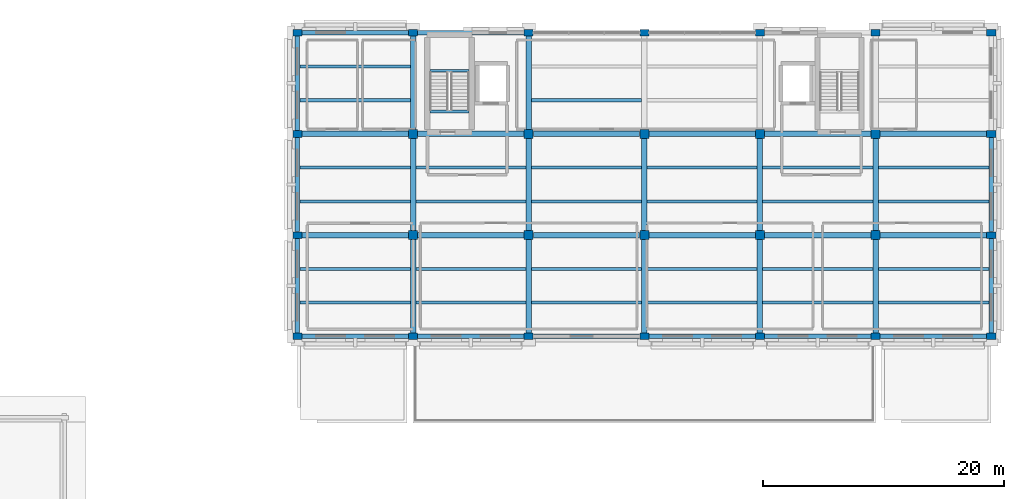
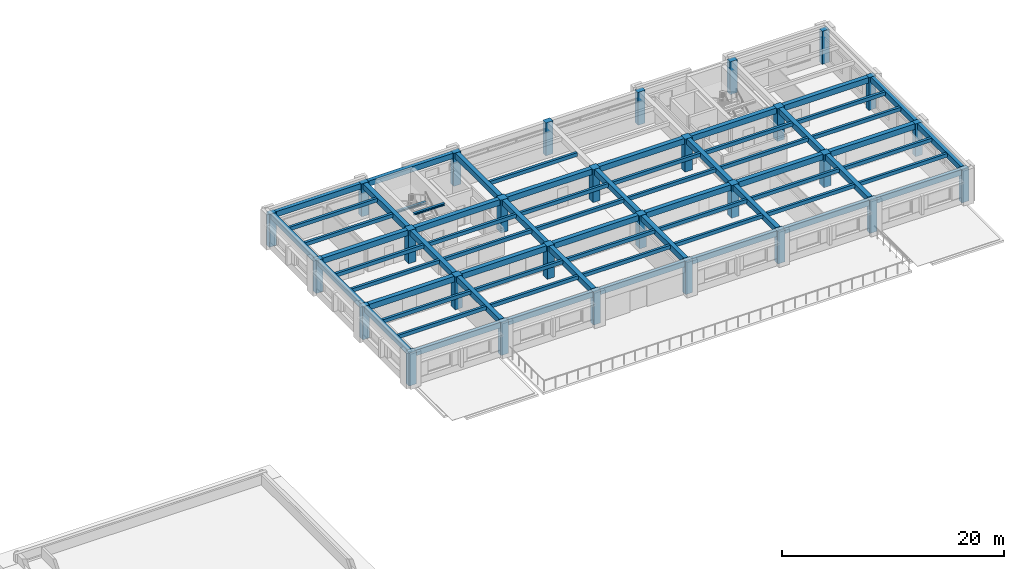
# One storey, part 1 of 10: 66 beams, 28 columns.
"""IFC4 building model written with IfcOpenShell, lengths in metres."""

from ifc_helpers import new_model, si_unit, direction, frame, origin, origin_2d, place, context, subcontext, project, spatial, rectangle, i_section, extrude, material, material_profile, profile_set, type_object, element, save


model = new_model("IFC4")

# Units and contexts
model_context = context("Model", 3, precision=1e-05, world=origin(), true_north=direction((0.0, 1.0)))
body_context = subcontext(model_context, "Body", "Model", "MODEL_VIEW")
ifc_project = project(units=[si_unit("LENGTHUNIT", "METRE"), si_unit("AREAUNIT", "SQUARE_METRE"), si_unit("VOLUMEUNIT", "CUBIC_METRE"), si_unit("PLANEANGLEUNIT", "RADIAN"), si_unit("MASSUNIT", "GRAM", prefix="KILO")], contexts=[model_context])

# Site, building, storey
site_placement = place(None, origin())
site = spatial("IfcSite", under=ifc_project, at=site_placement, CompositionType="ELEMENT")
building_placement = place(site_placement, origin())
building = spatial("IfcBuilding", under=site, at=building_placement, Name="Bempovik Park Faculty of Sciences", CompositionType="ELEMENT")
storey_placement = place(building_placement, frame((0.0, 0.0, 26.699951171875)))
storey = spatial("IfcBuildingStorey", under=building, at=storey_placement, Name="L06", CompositionType="ELEMENT", Elevation=26.699951171875)

# Columns
ifc_material_1 = material(Name="Concrete C40/50", Category="concrete")
ifc_material_profile_1 = material_profile(ifc_material_1, rectangle(XDim=0.75, YDim=0.75, at=origin_2d()), Name="RC 750x750")
ifc_profile_set_1 = profile_set([ifc_material_profile_1], Name="Concrete C40/50")
column_type_1 = type_object("IfcColumnType", Name="C-39 RC 750x750", PredefinedType="COLUMN", material=ifc_profile_set_1)
for number, where, z_axis, x_axis, name in (
    (1, (69.60009765625, 102.60009765625, 0.0), (0.0, 0.0, 1.0), (1.0, 0.0, 0.0), "L06 Structural Column (69.6,102.6)"),
    (2, (69.60009765625, 111.0, 0.0), (0.0, 0.0, 1.0), (1.0, 0.0, 0.0), "L06 Structural Column (69.6,111.0)"),
    (3, (79.199951171875, 102.60009765625, 0.0), (0.0, 0.0, 1.0), (1.0, 0.0, 0.0), "L06 Structural Column (79.2,102.6)"),
    (4, (79.199951171875, 111.0, 0.0), (0.0, 0.0, 1.0), (1.0, 0.0, 0.0), "L06 Structural Column (79.2,111.0)"),
    (5, (88.800048828125, 102.60009765625, 0.0), (0.0, 0.0, 1.0), (1.0, 0.0, 0.0), "L06 Structural Column (88.8,102.6)"),
    (6, (88.800048828125, 111.0, 0.0), (0.0, 0.0, 1.0), (1.0, 0.0, 0.0), "L06 Structural Column (88.8,111.0)"),
    (7, (98.39990234375, 102.60009765625, 0.0), (0.0, 0.0, 1.0), (1.0, 0.0, 0.0), "L06 Structural Column (98.4,102.6)"),
    (8, (98.39990234375, 111.0, 0.0), (0.0, 0.0, 1.0), (1.0, 0.0, 0.0), "L06 Structural Column (98.4,111.0)"),
    (9, (108.0, 102.60009765625, 0.0), (0.0, 0.0, 1.0), (1.0, 0.0, 0.0), "L06 Structural Column (108.0,102.6)"),
    (10, (108.0, 111.0, 0.0), (0.0, 0.0, 1.0), (1.0, 0.0, 0.0), "L06 Structural Column (108.0,111.0)"),
):
    element("IfcColumn", number, at=place(storey_placement, frame(where, z_axis=z_axis, x_axis=x_axis)), inside=storey, type_object=column_type_1, Name=name, PredefinedType="COLUMN", context=body_context, shape_type="SweptSolid", body=[
        extrude(rectangle(XDim=0.75, YDim=0.75, at=origin_2d()), origin(), (0.0, 0.0, 1.0), 3.6201171875),
    ])
ifc_material_profile_2 = material_profile(ifc_material_1, rectangle(XDim=0.75, YDim=0.550048828125, at=origin_2d()), Name="RC 750x550")
ifc_profile_set_2 = profile_set([ifc_material_profile_2], Name="Concrete C40/50")
column_type_2 = type_object("IfcColumnType", Name="C-43 RC 750x550", PredefinedType="COLUMN", material=ifc_profile_set_2)
for number, where, z_axis, x_axis, name in (
    (11, (60.0, 94.199951171875, 0.0), (0.0, 0.0, 1.0), (1.0, 0.0, 0.0), "L06 Structural Column (60.0,94.2)"),
    (12, (60.0, 102.60009765625, 0.0), (0.0, 0.0, 1.0), (1.0, 0.0, 0.0), "L06 Structural Column (60.0,102.6)"),
    (13, (60.0, 111.0, 0.0), (0.0, 0.0, 1.0), (1.0, 0.0, 0.0), "L06 Structural Column (60.0,111.0)"),
    (14, (60.0, 119.39990234375, 0.0), (0.0, 0.0, 1.0), (1.0, 0.0, 0.0), "L06 Structural Column (60.0,119.4)"),
    (15, (69.60009765625, 94.199951171875, 0.0), (0.0, 0.0, 1.0), (1.0, 0.0, 0.0), "L06 Structural Column (69.6,94.2)"),
    (16, (69.60009765625, 119.39990234375, 0.0), (0.0, 0.0, 1.0), (1.0, 0.0, 0.0), "L06 Structural Column (69.6,119.4)"),
    (17, (79.199951171875, 94.199951171875, 0.0), (0.0, 0.0, 1.0), (1.0, 0.0, 0.0), "L06 Structural Column (79.2,94.2)"),
    (18, (79.199951171875, 119.39990234375, 0.0), (0.0, 0.0, 1.0), (1.0, 0.0, 0.0), "L06 Structural Column (79.2,119.4)"),
    (19, (88.800048828125, 94.199951171875, 0.0), (0.0, 0.0, 1.0), (1.0, 0.0, 0.0), "L06 Structural Column (88.8,94.2)"),
    (20, (88.800048828125, 119.39990234375, 0.0), (0.0, 0.0, 1.0), (1.0, 0.0, 0.0), "L06 Structural Column (88.8,119.4)"),
    (21, (98.39990234375, 94.199951171875, 0.0), (0.0, 0.0, 1.0), (1.0, 0.0, 0.0), "L06 Structural Column (98.4,94.2)"),
    (22, (98.39990234375, 119.39990234375, 0.0), (0.0, 0.0, 1.0), (1.0, 0.0, 0.0), "L06 Structural Column (98.4,119.4)"),
    (23, (108.0, 94.199951171875, 0.0), (0.0, 0.0, 1.0), (1.0, 0.0, 0.0), "L06 Structural Column (108.0,94.2)"),
    (24, (108.0, 119.39990234375, 0.0), (0.0, 0.0, 1.0), (1.0, 0.0, 0.0), "L06 Structural Column (108.0,119.4)"),
    (25, (117.60009765625, 94.199951171875, 0.0), (0.0, 0.0, 1.0), (1.0, 0.0, 0.0), "L06 Structural Column (117.6,94.2)"),
    (26, (117.60009765625, 102.60009765625, 0.0), (0.0, 0.0, 1.0), (1.0, 0.0, 0.0), "L06 Structural Column (117.6,102.6)"),
    (27, (117.60009765625, 111.0, 0.0), (0.0, 0.0, 1.0), (1.0, 0.0, 0.0), "L06 Structural Column (117.6,111.0)"),
    (28, (117.60009765625, 119.39990234375, 0.0), (0.0, 0.0, 1.0), (1.0, 0.0, 0.0), "L06 Structural Column (117.6,119.4)"),
):
    element("IfcColumn", number, at=place(storey_placement, frame(where, z_axis=z_axis, x_axis=x_axis)), inside=storey, type_object=column_type_2, Name=name, PredefinedType="COLUMN", context=body_context, shape_type="SweptSolid", body=[
        extrude(rectangle(XDim=0.75, YDim=0.550048828125, at=origin_2d()), origin(), (0.0, 0.0, 1.0), 3.6201171875),
    ])

# Beams
ifc_material_2 = material(Name="Concrete C35/45", Category="concrete")
ifc_material_profile_3 = material_profile(ifc_material_2, rectangle(XDim=0.3798828125, YDim=0.60009765625, at=origin_2d()), Name="RC 380x600")
ifc_profile_set_3 = profile_set([ifc_material_profile_3], Name="Concrete C35/45")
beam_type_1 = type_object("IfcBeamType", Name="B-032 RC 380x600", PredefinedType="SPANDREL", material=ifc_profile_set_3)
beam_1_placement = place(storey_placement, frame((60.381103515625, 94.199951171875, 3.320068359375), z_axis=(1.0, 0.0, 0.0), x_axis=(0.0, 1.0, 0.0)))
element("IfcBeam", 29, at=beam_1_placement, inside=storey, type_object=beam_type_1, Name="L06 Beam X (60.0-69.6, y=94.2)", PredefinedType="SPANDREL", context=body_context, shape_type="SweptSolid", body=[
    extrude(rectangle(XDim=0.3798828125, YDim=0.60009765625, at=origin_2d()), origin(), (0.0, 0.0, 1.0), 8.837890625),
])
beam_2_placement = place(storey_placement, frame((69.98095703125, 94.199951171875, 3.320068359375), z_axis=(1.0, 0.0, 0.0), x_axis=(0.0, 1.0, 0.0)))
element("IfcBeam", 30, at=beam_2_placement, inside=storey, type_object=beam_type_1, Name="L06 Beam X (69.6-79.2, y=94.2)", PredefinedType="SPANDREL", context=body_context, shape_type="SweptSolid", body=[
    extrude(rectangle(XDim=0.3798828125, YDim=0.60009765625, at=origin_2d()), origin(), (0.0, 0.0, 1.0), 8.838134765625),
])
beam_3_placement = place(storey_placement, frame((79.5810546875, 94.199951171875, 3.320068359375), z_axis=(1.0, 0.0, 0.0), x_axis=(0.0, 1.0, 0.0)))
element("IfcBeam", 31, at=beam_3_placement, inside=storey, type_object=beam_type_1, Name="L06 Beam X (79.2-88.8, y=94.2)", PredefinedType="SPANDREL", context=body_context, shape_type="SweptSolid", body=[
    extrude(rectangle(XDim=0.3798828125, YDim=0.60009765625, at=origin_2d()), origin(), (0.0, 0.0, 1.0), 8.837890625),
])
beam_4_placement = place(storey_placement, frame((89.180908203125, 94.199951171875, 3.320068359375), z_axis=(1.0, 0.0, 0.0), x_axis=(0.0, 1.0, 0.0)))
element("IfcBeam", 32, at=beam_4_placement, inside=storey, type_object=beam_type_1, Name="L06 Beam X (88.8-98.4, y=94.2)", PredefinedType="SPANDREL", context=body_context, shape_type="SweptSolid", body=[
    extrude(rectangle(XDim=0.3798828125, YDim=0.60009765625, at=origin_2d()), origin(), (0.0, 0.0, 1.0), 8.838134765625),
])
for number, where, z_axis, x_axis, name in (
    (33, (98.781005859375, 94.199951171875, 3.320068359375), (1.0, 0.0, 0.0), (0.0, 1.0, 0.0), "L06 Beam X (98.4-108.0, y=94.2)"),
    (34, (108.381103515625, 94.199951171875, 3.320068359375), (1.0, 0.0, 0.0), (0.0, 1.0, 0.0), "L06 Beam X (108.0-117.6, y=94.2)"),
    (35, (60.381103515625, 119.39990234375, 3.320068359375), (1.0, 0.0, 0.0), (0.0, 1.0, 0.0), "L06 Beam X (60.0-69.6, y=119.4)"),
):
    element("IfcBeam", number, at=place(storey_placement, frame(where, z_axis=z_axis, x_axis=x_axis)), inside=storey, type_object=beam_type_1, Name=name, PredefinedType="SPANDREL", context=body_context, shape_type="SweptSolid", body=[
        extrude(rectangle(XDim=0.3798828125, YDim=0.60009765625, at=origin_2d()), origin(), (0.0, 0.0, 1.0), 8.837890625),
    ])
beam_5_placement = place(storey_placement, frame((69.98095703125, 119.39990234375, 3.320068359375), z_axis=(1.0, 0.0, 0.0), x_axis=(0.0, 1.0, 0.0)))
element("IfcBeam", 36, at=beam_5_placement, inside=storey, type_object=beam_type_1, Name="L06 Beam X (69.6-79.2, y=119.4)", PredefinedType="SPANDREL", context=body_context, shape_type="SweptSolid", body=[
    extrude(rectangle(XDim=0.3798828125, YDim=0.60009765625, at=origin_2d()), origin(), (0.0, 0.0, 1.0), 8.838134765625),
])
beam_6_placement = place(storey_placement, frame((60.0, 94.48095703125, 3.320068359375), z_axis=(0.0, 1.0, 0.0), x_axis=(-1.0, 0.0, 0.0)))
element("IfcBeam", 37, at=beam_6_placement, inside=storey, type_object=beam_type_1, Name="L06 Beam Y (x=60.0, 94.2-102.6)", PredefinedType="SPANDREL", context=body_context, shape_type="SweptSolid", body=[
    extrude(rectangle(XDim=0.3798828125, YDim=0.60009765625, at=origin_2d()), origin(), (0.0, 0.0, 1.0), 7.838134765625),
])
for number, where, z_axis, x_axis, name in (
    (38, (60.0, 102.881103515625, 3.320068359375), (0.0, 1.0, 0.0), (-1.0, 0.0, 0.0), "L06 Beam Y (x=60.0, 102.6-111.0)"),
    (39, (60.0, 111.281005859375, 3.320068359375), (0.0, 1.0, 0.0), (-1.0, 0.0, 0.0), "L06 Beam Y (x=60.0, 111.0-119.4)"),
):
    element("IfcBeam", number, at=place(storey_placement, frame(where, z_axis=z_axis, x_axis=x_axis)), inside=storey, type_object=beam_type_1, Name=name, PredefinedType="SPANDREL", context=body_context, shape_type="SweptSolid", body=[
        extrude(rectangle(XDim=0.3798828125, YDim=0.60009765625, at=origin_2d()), origin(), (0.0, 0.0, 1.0), 7.837890625),
    ])
beam_7_placement = place(storey_placement, frame((117.60009765625, 94.48095703125, 3.320068359375), z_axis=(0.0, 1.0, 0.0), x_axis=(-1.0, 0.0, 0.0)))
element("IfcBeam", 40, at=beam_7_placement, inside=storey, type_object=beam_type_1, Name="L06 Beam Y (x=117.6, 94.2-102.6)", PredefinedType="SPANDREL", context=body_context, shape_type="SweptSolid", body=[
    extrude(rectangle(XDim=0.3798828125, YDim=0.60009765625, at=origin_2d()), origin(), (0.0, 0.0, 1.0), 7.838134765625),
])
beam_8_placement = place(storey_placement, frame((117.60009765625, 102.881103515625, 3.320068359375), z_axis=(0.0, 1.0, 0.0), x_axis=(-1.0, 0.0, 0.0)))
element("IfcBeam", 41, at=beam_8_placement, inside=storey, type_object=beam_type_1, Name="L06 Beam Y (x=117.6, 102.6-111.0)", PredefinedType="SPANDREL", context=body_context, shape_type="SweptSolid", body=[
    extrude(rectangle(XDim=0.3798828125, YDim=0.60009765625, at=origin_2d()), origin(), (0.0, 0.0, 1.0), 7.837890625),
])
ifc_material_profile_4 = material_profile(ifc_material_2, rectangle(XDim=0.260009765625, YDim=0.39990234375, at=origin_2d()), Name="RC 260x400")
ifc_profile_set_4 = profile_set([ifc_material_profile_4], Name="Concrete C35/45")
beam_type_2 = type_object("IfcBeamType", Name="B-063 RC 260x400", PredefinedType="JOIST", material=ifc_profile_set_4)
for number, where, z_axis, x_axis, name in (
    (42, (60.196044921875, 97.0, 3.420166015625), (1.0, 0.0, 0.0), (0.0, 1.0, 0.0), "L06 Secondary Joist (60.0-69.6, y=97.00)"),
    (43, (60.196044921875, 99.800048828125, 3.420166015625), (1.0, 0.0, 0.0), (0.0, 1.0, 0.0), "L06 Secondary Joist (60.0-69.6, y=99.80)"),
    (44, (60.196044921875, 105.39990234375, 3.420166015625), (1.0, 0.0, 0.0), (0.0, 1.0, 0.0), "L06 Secondary Joist (60.0-69.6, y=105.40)"),
    (45, (60.196044921875, 108.199951171875, 3.420166015625), (1.0, 0.0, 0.0), (0.0, 1.0, 0.0), "L06 Secondary Joist (60.0-69.6, y=108.20)"),
    (46, (60.196044921875, 113.800048828125, 3.420166015625), (1.0, 0.0, 0.0), (0.0, 1.0, 0.0), "L06 Secondary Joist (60.0-69.6, y=113.80)"),
    (47, (60.196044921875, 116.60009765625, 3.420166015625), (1.0, 0.0, 0.0), (0.0, 1.0, 0.0), "L06 Secondary Joist (60.0-69.6, y=116.60)"),
):
    element("IfcBeam", number, at=place(storey_placement, frame(where, z_axis=z_axis, x_axis=x_axis)), inside=storey, type_object=beam_type_2, Name=name, PredefinedType="JOIST", context=body_context, shape_type="SweptSolid", body=[
        extrude(rectangle(XDim=0.260009765625, YDim=0.39990234375, at=origin_2d()), origin(), (0.0, 0.0, 1.0), 9.1728515625),
    ])
for number, where, z_axis, x_axis, name in (
    (48, (69.8310546875, 97.0, 3.420166015625), (1.0, 0.0, 0.0), (0.0, 1.0, 0.0), "L06 Secondary Joist (69.6-79.2, y=97.00)"),
    (49, (69.8310546875, 99.800048828125, 3.420166015625), (1.0, 0.0, 0.0), (0.0, 1.0, 0.0), "L06 Secondary Joist (69.6-79.2, y=99.80)"),
    (50, (69.8310546875, 105.39990234375, 3.420166015625), (1.0, 0.0, 0.0), (0.0, 1.0, 0.0), "L06 Secondary Joist (69.6-79.2, y=105.40)"),
    (51, (69.8310546875, 108.199951171875, 3.420166015625), (1.0, 0.0, 0.0), (0.0, 1.0, 0.0), "L06 Secondary Joist (69.6-79.2, y=108.20)"),
):
    element("IfcBeam", number, at=place(storey_placement, frame(where, z_axis=z_axis, x_axis=x_axis)), inside=storey, type_object=beam_type_2, Name=name, PredefinedType="JOIST", context=body_context, shape_type="SweptSolid", body=[
        extrude(rectangle(XDim=0.260009765625, YDim=0.39990234375, at=origin_2d()), origin(), (0.0, 0.0, 1.0), 9.137939453125),
    ])
for number, where, z_axis, x_axis, name in (
    (52, (79.430908203125, 97.0, 3.420166015625), (1.0, 0.0, 0.0), (0.0, 1.0, 0.0), "L06 Secondary Joist (79.2-88.8, y=97.00)"),
    (53, (79.430908203125, 99.800048828125, 3.420166015625), (1.0, 0.0, 0.0), (0.0, 1.0, 0.0), "L06 Secondary Joist (79.2-88.8, y=99.80)"),
    (54, (79.430908203125, 105.39990234375, 3.420166015625), (1.0, 0.0, 0.0), (0.0, 1.0, 0.0), "L06 Secondary Joist (79.2-88.8, y=105.40)"),
    (55, (79.430908203125, 108.199951171875, 3.420166015625), (1.0, 0.0, 0.0), (0.0, 1.0, 0.0), "L06 Secondary Joist (79.2-88.8, y=108.20)"),
    (56, (79.430908203125, 113.800048828125, 3.420166015625), (1.0, 0.0, 0.0), (0.0, 1.0, 0.0), "L06 Secondary Joist (79.2-88.8, y=113.80)"),
):
    element("IfcBeam", number, at=place(storey_placement, frame(where, z_axis=z_axis, x_axis=x_axis)), inside=storey, type_object=beam_type_2, Name=name, PredefinedType="JOIST", context=body_context, shape_type="SweptSolid", body=[
        extrude(rectangle(XDim=0.260009765625, YDim=0.39990234375, at=origin_2d()), origin(), (0.0, 0.0, 1.0), 9.13818359375),
    ])
for number, where, z_axis, x_axis, name in (
    (57, (89.031005859375, 97.0, 3.420166015625), (1.0, 0.0, 0.0), (0.0, 1.0, 0.0), "L06 Secondary Joist (88.8-98.4, y=97.00)"),
    (58, (89.031005859375, 99.800048828125, 3.420166015625), (1.0, 0.0, 0.0), (0.0, 1.0, 0.0), "L06 Secondary Joist (88.8-98.4, y=99.80)"),
    (59, (89.031005859375, 105.39990234375, 3.420166015625), (1.0, 0.0, 0.0), (0.0, 1.0, 0.0), "L06 Secondary Joist (88.8-98.4, y=105.40)"),
    (60, (89.031005859375, 108.199951171875, 3.420166015625), (1.0, 0.0, 0.0), (0.0, 1.0, 0.0), "L06 Secondary Joist (88.8-98.4, y=108.20)"),
    (61, (98.631103515625, 97.0, 3.420166015625), (1.0, 0.0, 0.0), (0.0, 1.0, 0.0), "L06 Secondary Joist (98.4-108.0, y=97.00)"),
    (62, (98.631103515625, 99.800048828125, 3.420166015625), (1.0, 0.0, 0.0), (0.0, 1.0, 0.0), "L06 Secondary Joist (98.4-108.0, y=99.80)"),
    (63, (98.631103515625, 105.39990234375, 3.420166015625), (1.0, 0.0, 0.0), (0.0, 1.0, 0.0), "L06 Secondary Joist (98.4-108.0, y=105.40)"),
    (64, (98.631103515625, 108.199951171875, 3.420166015625), (1.0, 0.0, 0.0), (0.0, 1.0, 0.0), "L06 Secondary Joist (98.4-108.0, y=108.20)"),
):
    element("IfcBeam", number, at=place(storey_placement, frame(where, z_axis=z_axis, x_axis=x_axis)), inside=storey, type_object=beam_type_2, Name=name, PredefinedType="JOIST", context=body_context, shape_type="SweptSolid", body=[
        extrude(rectangle(XDim=0.260009765625, YDim=0.39990234375, at=origin_2d()), origin(), (0.0, 0.0, 1.0), 9.137939453125),
    ])
for number, where, z_axis, x_axis, name in (
    (65, (108.23095703125, 97.0, 3.420166015625), (1.0, 0.0, 0.0), (0.0, 1.0, 0.0), "L06 Secondary Joist (108.0-117.6, y=97.00)"),
    (66, (108.23095703125, 99.800048828125, 3.420166015625), (1.0, 0.0, 0.0), (0.0, 1.0, 0.0), "L06 Secondary Joist (108.0-117.6, y=99.80)"),
    (67, (108.23095703125, 105.39990234375, 3.420166015625), (1.0, 0.0, 0.0), (0.0, 1.0, 0.0), "L06 Secondary Joist (108.0-117.6, y=105.40)"),
    (68, (108.23095703125, 108.199951171875, 3.420166015625), (1.0, 0.0, 0.0), (0.0, 1.0, 0.0), "L06 Secondary Joist (108.0-117.6, y=108.20)"),
):
    element("IfcBeam", number, at=place(storey_placement, frame(where, z_axis=z_axis, x_axis=x_axis)), inside=storey, type_object=beam_type_2, Name=name, PredefinedType="JOIST", context=body_context, shape_type="SweptSolid", body=[
        extrude(rectangle(XDim=0.260009765625, YDim=0.39990234375, at=origin_2d()), origin(), (0.0, 0.0, 1.0), 9.173095703125),
    ])
ifc_material_3 = material(Name="Steel S355", Category="steel")
ifc_material_profile_5 = material_profile(ifc_material_3, i_section(OverallWidth=0.239990234375, OverallDepth=0.22998046875, WebThickness=0.007568359375, FlangeThickness=0.011962890625, at=origin_2d()), Name="HEA 240")
ifc_profile_set_5 = profile_set([ifc_material_profile_5], Name="Steel S355")
beam_type_3 = type_object("IfcBeamType", Name="B-070 HEA 240", PredefinedType="BEAM", material=ifc_profile_set_5)
for number, where, z_axis, x_axis, name in (
    (69, (71.006103515625, 116.24365234375, 1.635009765625), (1.0, 0.0, 0.0), (0.0, 1.0, 0.0), "L06 ST-1 Half-Landing Trimmer Beam"),
    (70, (71.006103515625, 112.85009765625, 3.505126953125), (1.0, 0.0, 0.0), (0.0, 1.0, 0.0), "L07 ST-1 Floor Landing Trimmer Beam"),
):
    element("IfcBeam", number, at=place(storey_placement, frame(where, z_axis=z_axis, x_axis=x_axis)), inside=storey, type_object=beam_type_3, Name=name, PredefinedType="BEAM", context=body_context, shape_type="SweptSolid", body=[
        extrude(i_section(OverallWidth=0.239990234375, OverallDepth=0.22998046875, WebThickness=0.007568359375, FlangeThickness=0.011962890625, at=origin_2d()), origin(), (0.0, 0.0, 1.0), 3.23779296875),
    ])
ifc_material_profile_6 = material_profile(ifc_material_2, rectangle(XDim=0.449951171875, YDim=0.6201171875, at=origin_2d()), Name="RC 450x620")
ifc_profile_set_6 = profile_set([ifc_material_profile_6], Name="Concrete C35/45")
beam_type_4 = type_object("IfcBeamType", Name="B-114 RC 450x620", PredefinedType="BEAM", material=ifc_profile_set_6)
beam_9_placement = place(storey_placement, frame((60.381103515625, 102.60009765625, 3.31005859375), z_axis=(1.0, 0.0, 0.0), x_axis=(0.0, 1.0, 0.0)))
element("IfcBeam", 71, at=beam_9_placement, inside=storey, type_object=beam_type_4, Name="L06 Beam X (60.0-69.6, y=102.6)", PredefinedType="BEAM", context=body_context, shape_type="SweptSolid", body=[
    extrude(rectangle(XDim=0.449951171875, YDim=0.6201171875, at=origin_2d()), origin(), (0.0, 0.0, 1.0), 8.837890625),
])
beam_10_placement = place(storey_placement, frame((69.98095703125, 102.60009765625, 3.31005859375), z_axis=(1.0, 0.0, 0.0), x_axis=(0.0, 1.0, 0.0)))
element("IfcBeam", 72, at=beam_10_placement, inside=storey, type_object=beam_type_4, Name="L06 Beam X (69.6-79.2, y=102.6)", PredefinedType="BEAM", context=body_context, shape_type="SweptSolid", body=[
    extrude(rectangle(XDim=0.449951171875, YDim=0.6201171875, at=origin_2d()), origin(), (0.0, 0.0, 1.0), 8.838134765625),
])
beam_11_placement = place(storey_placement, frame((79.5810546875, 102.60009765625, 3.31005859375), z_axis=(1.0, 0.0, 0.0), x_axis=(0.0, 1.0, 0.0)))
element("IfcBeam", 73, at=beam_11_placement, inside=storey, type_object=beam_type_4, Name="L06 Beam X (79.2-88.8, y=102.6)", PredefinedType="BEAM", context=body_context, shape_type="SweptSolid", body=[
    extrude(rectangle(XDim=0.449951171875, YDim=0.6201171875, at=origin_2d()), origin(), (0.0, 0.0, 1.0), 8.837890625),
])
beam_12_placement = place(storey_placement, frame((89.180908203125, 102.60009765625, 3.31005859375), z_axis=(1.0, 0.0, 0.0), x_axis=(0.0, 1.0, 0.0)))
element("IfcBeam", 74, at=beam_12_placement, inside=storey, type_object=beam_type_4, Name="L06 Beam X (88.8-98.4, y=102.6)", PredefinedType="BEAM", context=body_context, shape_type="SweptSolid", body=[
    extrude(rectangle(XDim=0.449951171875, YDim=0.6201171875, at=origin_2d()), origin(), (0.0, 0.0, 1.0), 8.838134765625),
])
for number, where, z_axis, x_axis, name in (
    (75, (98.781005859375, 102.60009765625, 3.31005859375), (1.0, 0.0, 0.0), (0.0, 1.0, 0.0), "L06 Beam X (98.4-108.0, y=102.6)"),
    (76, (108.381103515625, 102.60009765625, 3.31005859375), (1.0, 0.0, 0.0), (0.0, 1.0, 0.0), "L06 Beam X (108.0-117.6, y=102.6)"),
    (77, (60.381103515625, 111.0, 3.31005859375), (1.0, 0.0, 0.0), (0.0, 1.0, 0.0), "L06 Beam X (60.0-69.6, y=111.0)"),
):
    element("IfcBeam", number, at=place(storey_placement, frame(where, z_axis=z_axis, x_axis=x_axis)), inside=storey, type_object=beam_type_4, Name=name, PredefinedType="BEAM", context=body_context, shape_type="SweptSolid", body=[
        extrude(rectangle(XDim=0.449951171875, YDim=0.6201171875, at=origin_2d()), origin(), (0.0, 0.0, 1.0), 8.837890625),
    ])
beam_13_placement = place(storey_placement, frame((69.98095703125, 111.0, 3.31005859375), z_axis=(1.0, 0.0, 0.0), x_axis=(0.0, 1.0, 0.0)))
element("IfcBeam", 78, at=beam_13_placement, inside=storey, type_object=beam_type_4, Name="L06 Beam X (69.6-79.2, y=111.0)", PredefinedType="BEAM", context=body_context, shape_type="SweptSolid", body=[
    extrude(rectangle(XDim=0.449951171875, YDim=0.6201171875, at=origin_2d()), origin(), (0.0, 0.0, 1.0), 8.838134765625),
])
beam_14_placement = place(storey_placement, frame((79.5810546875, 111.0, 3.31005859375), z_axis=(1.0, 0.0, 0.0), x_axis=(0.0, 1.0, 0.0)))
element("IfcBeam", 79, at=beam_14_placement, inside=storey, type_object=beam_type_4, Name="L06 Beam X (79.2-88.8, y=111.0)", PredefinedType="BEAM", context=body_context, shape_type="SweptSolid", body=[
    extrude(rectangle(XDim=0.449951171875, YDim=0.6201171875, at=origin_2d()), origin(), (0.0, 0.0, 1.0), 8.837890625),
])
beam_15_placement = place(storey_placement, frame((89.180908203125, 111.0, 3.31005859375), z_axis=(1.0, 0.0, 0.0), x_axis=(0.0, 1.0, 0.0)))
element("IfcBeam", 80, at=beam_15_placement, inside=storey, type_object=beam_type_4, Name="L06 Beam X (88.8-98.4, y=111.0)", PredefinedType="BEAM", context=body_context, shape_type="SweptSolid", body=[
    extrude(rectangle(XDim=0.449951171875, YDim=0.6201171875, at=origin_2d()), origin(), (0.0, 0.0, 1.0), 8.838134765625),
])
for number, where, z_axis, x_axis, name in (
    (81, (98.781005859375, 111.0, 3.31005859375), (1.0, 0.0, 0.0), (0.0, 1.0, 0.0), "L06 Beam X (98.4-108.0, y=111.0)"),
    (82, (108.381103515625, 111.0, 3.31005859375), (1.0, 0.0, 0.0), (0.0, 1.0, 0.0), "L06 Beam X (108.0-117.6, y=111.0)"),
):
    element("IfcBeam", number, at=place(storey_placement, frame(where, z_axis=z_axis, x_axis=x_axis)), inside=storey, type_object=beam_type_4, Name=name, PredefinedType="BEAM", context=body_context, shape_type="SweptSolid", body=[
        extrude(rectangle(XDim=0.449951171875, YDim=0.6201171875, at=origin_2d()), origin(), (0.0, 0.0, 1.0), 8.837890625),
    ])
beam_16_placement = place(storey_placement, frame((69.60009765625, 94.48095703125, 3.31005859375), z_axis=(0.0, 1.0, 0.0), x_axis=(-1.0, 0.0, 0.0)))
element("IfcBeam", 83, at=beam_16_placement, inside=storey, type_object=beam_type_4, Name="L06 Beam Y (x=69.6, 94.2-102.6)", PredefinedType="BEAM", context=body_context, shape_type="SweptSolid", body=[
    extrude(rectangle(XDim=0.449951171875, YDim=0.6201171875, at=origin_2d()), origin(), (0.0, 0.0, 1.0), 7.738037109375),
])
beam_17_placement = place(storey_placement, frame((69.60009765625, 102.98095703125, 3.31005859375), z_axis=(0.0, 1.0, 0.0), x_axis=(-1.0, 0.0, 0.0)))
element("IfcBeam", 84, at=beam_17_placement, inside=storey, type_object=beam_type_4, Name="L06 Beam Y (x=69.6, 102.6-111.0)", PredefinedType="BEAM", context=body_context, shape_type="SweptSolid", body=[
    extrude(rectangle(XDim=0.449951171875, YDim=0.6201171875, at=origin_2d()), origin(), (0.0, 0.0, 1.0), 7.637939453125),
])
beam_18_placement = place(storey_placement, frame((69.60009765625, 111.381103515625, 3.31005859375), z_axis=(0.0, 1.0, 0.0), x_axis=(-1.0, 0.0, 0.0)))
element("IfcBeam", 85, at=beam_18_placement, inside=storey, type_object=beam_type_4, Name="L06 Beam Y (x=69.6, 111.0-119.4)", PredefinedType="BEAM", context=body_context, shape_type="SweptSolid", body=[
    extrude(rectangle(XDim=0.449951171875, YDim=0.6201171875, at=origin_2d()), origin(), (0.0, 0.0, 1.0), 7.73779296875),
])
beam_19_placement = place(storey_placement, frame((79.199951171875, 94.48095703125, 3.31005859375), z_axis=(0.0, 1.0, 0.0), x_axis=(-1.0, 0.0, 0.0)))
element("IfcBeam", 86, at=beam_19_placement, inside=storey, type_object=beam_type_4, Name="L06 Beam Y (x=79.2, 94.2-102.6)", PredefinedType="BEAM", context=body_context, shape_type="SweptSolid", body=[
    extrude(rectangle(XDim=0.449951171875, YDim=0.6201171875, at=origin_2d()), origin(), (0.0, 0.0, 1.0), 7.738037109375),
])
beam_20_placement = place(storey_placement, frame((79.199951171875, 102.98095703125, 3.31005859375), z_axis=(0.0, 1.0, 0.0), x_axis=(-1.0, 0.0, 0.0)))
element("IfcBeam", 87, at=beam_20_placement, inside=storey, type_object=beam_type_4, Name="L06 Beam Y (x=79.2, 102.6-111.0)", PredefinedType="BEAM", context=body_context, shape_type="SweptSolid", body=[
    extrude(rectangle(XDim=0.449951171875, YDim=0.6201171875, at=origin_2d()), origin(), (0.0, 0.0, 1.0), 7.637939453125),
])
beam_21_placement = place(storey_placement, frame((79.199951171875, 111.381103515625, 3.31005859375), z_axis=(0.0, 1.0, 0.0), x_axis=(-1.0, 0.0, 0.0)))
element("IfcBeam", 88, at=beam_21_placement, inside=storey, type_object=beam_type_4, Name="L06 Beam Y (x=79.2, 111.0-119.4)", PredefinedType="BEAM", context=body_context, shape_type="SweptSolid", body=[
    extrude(rectangle(XDim=0.449951171875, YDim=0.6201171875, at=origin_2d()), origin(), (0.0, 0.0, 1.0), 7.73779296875),
])
beam_22_placement = place(storey_placement, frame((88.800048828125, 94.48095703125, 3.31005859375), z_axis=(0.0, 1.0, 0.0), x_axis=(-1.0, 0.0, 0.0)))
element("IfcBeam", 89, at=beam_22_placement, inside=storey, type_object=beam_type_4, Name="L06 Beam Y (x=88.8, 94.2-102.6)", PredefinedType="BEAM", context=body_context, shape_type="SweptSolid", body=[
    extrude(rectangle(XDim=0.449951171875, YDim=0.6201171875, at=origin_2d()), origin(), (0.0, 0.0, 1.0), 7.738037109375),
])
beam_23_placement = place(storey_placement, frame((88.800048828125, 102.98095703125, 3.31005859375), z_axis=(0.0, 1.0, 0.0), x_axis=(-1.0, 0.0, 0.0)))
element("IfcBeam", 90, at=beam_23_placement, inside=storey, type_object=beam_type_4, Name="L06 Beam Y (x=88.8, 102.6-111.0)", PredefinedType="BEAM", context=body_context, shape_type="SweptSolid", body=[
    extrude(rectangle(XDim=0.449951171875, YDim=0.6201171875, at=origin_2d()), origin(), (0.0, 0.0, 1.0), 7.637939453125),
])
beam_24_placement = place(storey_placement, frame((98.39990234375, 94.48095703125, 3.31005859375), z_axis=(0.0, 1.0, 0.0), x_axis=(-1.0, 0.0, 0.0)))
element("IfcBeam", 91, at=beam_24_placement, inside=storey, type_object=beam_type_4, Name="L06 Beam Y (x=98.4, 94.2-102.6)", PredefinedType="BEAM", context=body_context, shape_type="SweptSolid", body=[
    extrude(rectangle(XDim=0.449951171875, YDim=0.6201171875, at=origin_2d()), origin(), (0.0, 0.0, 1.0), 7.738037109375),
])
beam_25_placement = place(storey_placement, frame((98.39990234375, 102.98095703125, 3.31005859375), z_axis=(0.0, 1.0, 0.0), x_axis=(-1.0, 0.0, 0.0)))
element("IfcBeam", 92, at=beam_25_placement, inside=storey, type_object=beam_type_4, Name="L06 Beam Y (x=98.4, 102.6-111.0)", PredefinedType="BEAM", context=body_context, shape_type="SweptSolid", body=[
    extrude(rectangle(XDim=0.449951171875, YDim=0.6201171875, at=origin_2d()), origin(), (0.0, 0.0, 1.0), 7.637939453125),
])
beam_26_placement = place(storey_placement, frame((108.0, 94.48095703125, 3.31005859375), z_axis=(0.0, 1.0, 0.0), x_axis=(-1.0, 0.0, 0.0)))
element("IfcBeam", 93, at=beam_26_placement, inside=storey, type_object=beam_type_4, Name="L06 Beam Y (x=108.0, 94.2-102.6)", PredefinedType="BEAM", context=body_context, shape_type="SweptSolid", body=[
    extrude(rectangle(XDim=0.449951171875, YDim=0.6201171875, at=origin_2d()), origin(), (0.0, 0.0, 1.0), 7.738037109375),
])
beam_27_placement = place(storey_placement, frame((108.0, 102.98095703125, 3.31005859375), z_axis=(0.0, 1.0, 0.0), x_axis=(-1.0, 0.0, 0.0)))
element("IfcBeam", 94, at=beam_27_placement, inside=storey, type_object=beam_type_4, Name="L06 Beam Y (x=108.0, 102.6-111.0)", PredefinedType="BEAM", context=body_context, shape_type="SweptSolid", body=[
    extrude(rectangle(XDim=0.449951171875, YDim=0.6201171875, at=origin_2d()), origin(), (0.0, 0.0, 1.0), 7.637939453125),
])

save(model, "model.ifc")
